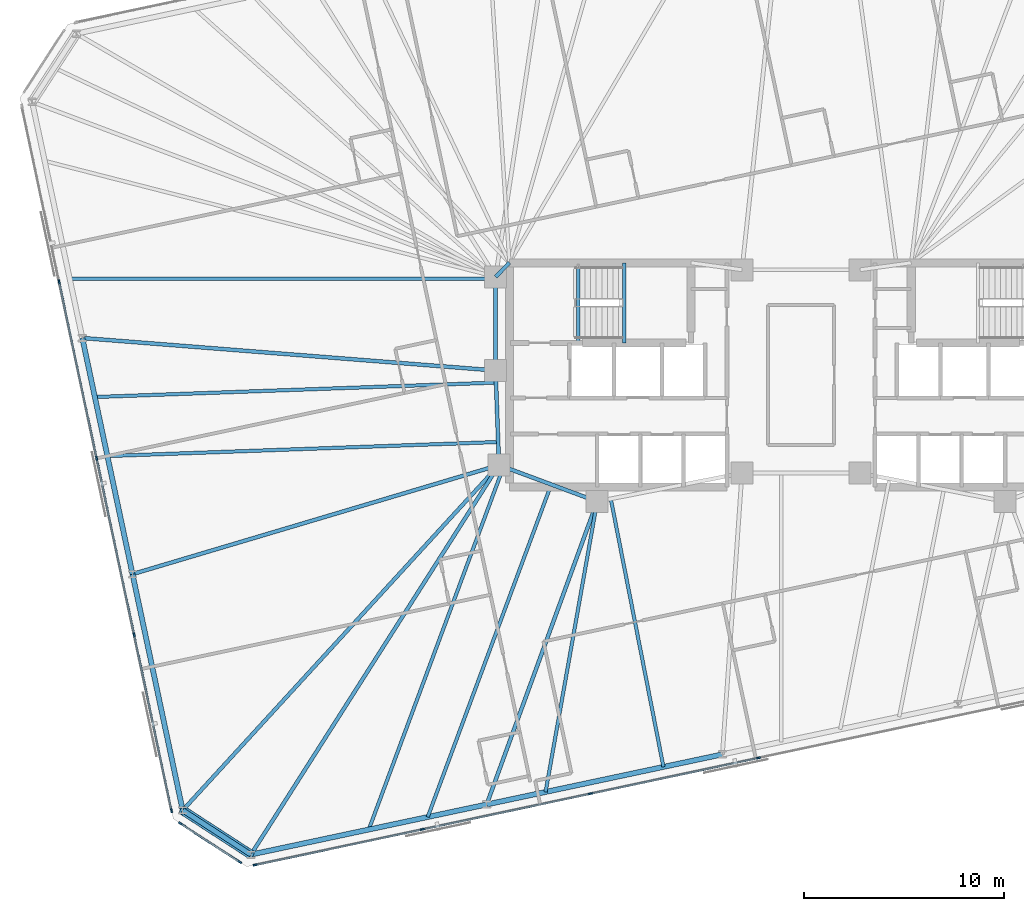
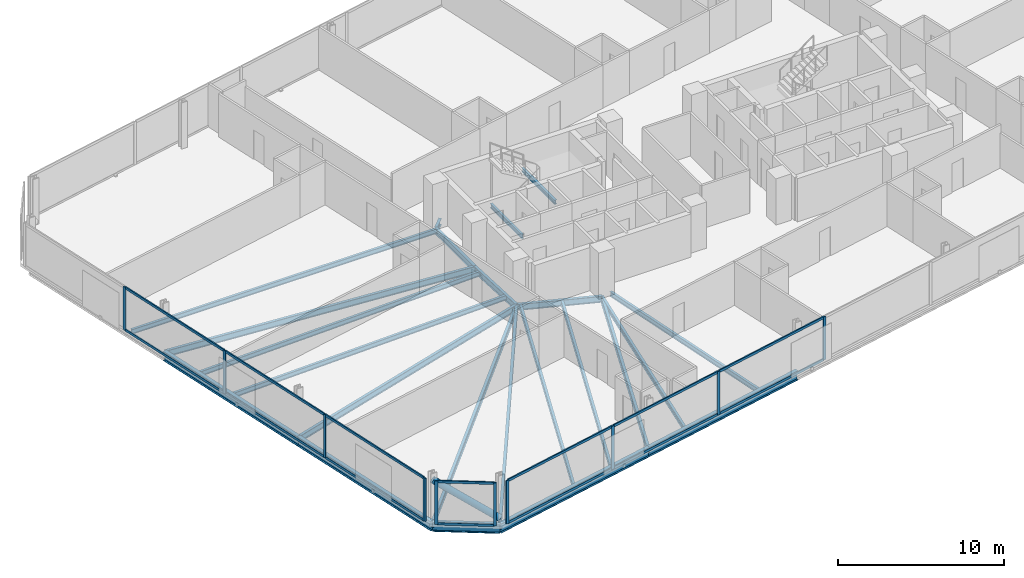
# One storey, part 6 of 19: 25 members, 23 beams, 3 elements without a shape of their own.
"""IFC4 building model written with IfcOpenShell, lengths in metres."""

from ifc_helpers import new_model, si_unit, direction, frame, origin, origin_2d, place, context, subcontext, project, spatial, rectangle, hollow_circle, i_section, extrude, material, material_profile, profile_set, type_object, element, aggregate, save


model = new_model("IFC4")

# Units and contexts
model_context = context("Model", 3, precision=1e-05, world=origin(), true_north=direction((0.0, 1.0)))
body_context = subcontext(model_context, "Body", "Model", "MODEL_VIEW")
ifc_project = project(units=[si_unit("LENGTHUNIT", "METRE"), si_unit("AREAUNIT", "SQUARE_METRE"), si_unit("VOLUMEUNIT", "CUBIC_METRE"), si_unit("PLANEANGLEUNIT", "RADIAN"), si_unit("MASSUNIT", "GRAM", prefix="KILO")], contexts=[model_context])

# Site, building, storey
site_placement = place(None, origin())
site = spatial("IfcSite", under=ifc_project, at=site_placement, CompositionType="ELEMENT")
building_placement = place(site_placement, origin())
building = spatial("IfcBuilding", under=site, at=building_placement, Name="Menara Jurai Vektor", CompositionType="ELEMENT")
storey_placement = place(building_placement, frame((0.0, 0.0, 154.800048828125)))
storey = spatial("IfcBuildingStorey", under=building, at=storey_placement, Name="L39", CompositionType="ELEMENT", Elevation=154.800048828125)

# Curtain wall, members
ifc_material_1 = material(Name="Anodised Pale Aluminium & Low-E Double Glazing", Category="aluminium")
curtain_wall_type = type_object("IfcCurtainWallType", Name="CW-BLK3", PredefinedType="NOTDEFINED", material=ifc_material_1)
curtain_wall_1_placement = place(storey_placement, origin())
curtain_wall_1 = element("IfcCurtainWall", 1, at=curtain_wall_1_placement, inside=storey, type_object=curtain_wall_type, Name="Unitised Curtain Wall L39 F01", PredefinedType="NOTDEFINED")
ifc_material_2 = material(Name="Anodised Pale Aluminium Mullion", Category="aluminium")
ifc_material_profile_1 = material_profile(ifc_material_2, rectangle(XDim=0.0849609375, YDim=0.205078125, at=origin_2d()), Name="ALU MUL 85x205")
ifc_profile_set_1 = profile_set([ifc_material_profile_1], Name="Anodised Pale Aluminium Mullion")
member_type_1 = type_object("IfcMemberType", Name="CW-BLK3-MUL", PredefinedType="MULLION", material=ifc_profile_set_1)
member_1_placement = place(storey_placement, frame((-27.25244140625, -24.462890625, 0.0), z_axis=(0.0, 0.0, 1.0), x_axis=(-0.207911344156, 0.978147674419, 0.0)))
member_1 = element("IfcMember", 2, at=member_1_placement, type_object=member_type_1, Name="CW-03 mullion 1", PredefinedType="MULLION", context=body_context, shape_type="SweptSolid", body=[
    extrude(rectangle(XDim=0.0849609375, YDim=0.205078125, at=origin_2d()), origin(), (0.0, 0.0, 1.0), 3.175048828125),
])
member_2_placement = place(storey_placement, frame((-18.904296875, -22.6884765625, 0.0), z_axis=(0.0, 0.0, 1.0), x_axis=(-0.207911344156, 0.978147674419, 0.0)))
member_2 = element("IfcMember", 3, at=member_2_placement, type_object=member_type_1, Name="CW-03 mullion 2", PredefinedType="MULLION", context=body_context, shape_type="SweptSolid", body=[
    extrude(rectangle(XDim=0.0849609375, YDim=0.205078125, at=origin_2d()), origin(), (0.0, 0.0, 1.0), 3.175048828125),
])
member_3_placement = place(storey_placement, frame((-10.514404296875, -20.905029296875, 0.0), z_axis=(0.0, 0.0, 1.0), x_axis=(-0.207911344156, 0.978147674419, 0.0)))
member_3 = element("IfcMember", 4, at=member_3_placement, type_object=member_type_1, Name="CW-03 mullion 3", PredefinedType="MULLION", context=body_context, shape_type="SweptSolid", body=[
    extrude(rectangle(XDim=0.0849609375, YDim=0.205078125, at=origin_2d()), origin(), (0.0, 0.0, 1.0), 3.175048828125),
])
member_4_placement = place(storey_placement, frame((-2.124755859375, -19.121826171875, 0.0), z_axis=(0.0, 0.0, 1.0), x_axis=(-0.207911344156, 0.978147674419, 0.0)))
member_4 = element("IfcMember", 5, at=member_4_placement, type_object=member_type_1, Name="CW-03 mullion 4", PredefinedType="MULLION", context=body_context, shape_type="SweptSolid", body=[
    extrude(rectangle(XDim=0.0849609375, YDim=0.205078125, at=origin_2d()), origin(), (0.0, 0.0, 1.0), 3.175048828125),
])

curtain_wall_2_placement = place(storey_placement, origin())
curtain_wall_2 = element("IfcCurtainWall", 6, at=curtain_wall_2_placement, inside=storey, type_object=curtain_wall_type, Name="Unitised Curtain Wall L39 F07", PredefinedType="NOTDEFINED")
member_5_placement = place(storey_placement, frame((-37.041259765625, 4.648193359375, 0.0), z_axis=(0.0, 0.0, 1.0), x_axis=(0.978147883949, 0.20791035839, 0.0)))
member_5 = element("IfcMember", 7, at=member_5_placement, type_object=member_type_1, Name="CW-03 mullion 2", PredefinedType="MULLION", context=body_context, shape_type="SweptSolid", body=[
    extrude(rectangle(XDim=0.0849609375, YDim=0.205078125, at=origin_2d()), origin(), (0.0, 0.0, 1.0), 3.175048828125),
])
member_6_placement = place(storey_placement, frame((-35.16796875, -4.1650390625, 0.0), z_axis=(0.0, 0.0, 1.0), x_axis=(0.978147883949, 0.20791035839, 0.0)))
member_6 = element("IfcMember", 8, at=member_6_placement, type_object=member_type_1, Name="CW-03 mullion 3", PredefinedType="MULLION", context=body_context, shape_type="SweptSolid", body=[
    extrude(rectangle(XDim=0.0849609375, YDim=0.205078125, at=origin_2d()), origin(), (0.0, 0.0, 1.0), 3.175048828125),
])
member_7_placement = place(storey_placement, frame((-33.294677734375, -12.978271484375, 0.0), z_axis=(0.0, 0.0, 1.0), x_axis=(0.978147883949, 0.20791035839, 0.0)))
member_7 = element("IfcMember", 9, at=member_7_placement, type_object=member_type_1, Name="CW-03 mullion 4", PredefinedType="MULLION", context=body_context, shape_type="SweptSolid", body=[
    extrude(rectangle(XDim=0.0849609375, YDim=0.205078125, at=origin_2d()), origin(), (0.0, 0.0, 1.0), 3.175048828125),
])
member_8_placement = place(storey_placement, frame((-31.43017578125, -21.749755859375, 0.0), z_axis=(0.0, 0.0, 1.0), x_axis=(0.978147883949, 0.20791035839, 0.0)))
member_8 = element("IfcMember", 10, at=member_8_placement, type_object=member_type_1, Name="CW-03 mullion 5", PredefinedType="MULLION", context=body_context, shape_type="SweptSolid", body=[
    extrude(rectangle(XDim=0.0849609375, YDim=0.205078125, at=origin_2d()), origin(), (0.0, 0.0, 1.0), 3.175048828125),
])

curtain_wall_3_placement = place(storey_placement, origin())
curtain_wall_3 = element("IfcCurtainWall", 11, at=curtain_wall_3_placement, inside=storey, type_object=curtain_wall_type, Name="Unitised Curtain Wall L39 F08", PredefinedType="NOTDEFINED")
member_9_placement = place(storey_placement, frame((-30.988037109375, -22.39306640625, 0.0), z_axis=(0.0, 0.0, 1.0), x_axis=(0.544617794346, 0.838684361415, 0.0)))
member_9 = element("IfcMember", 12, at=member_9_placement, type_object=member_type_1, Name="CW-03 mullion 1", PredefinedType="MULLION", context=body_context, shape_type="SweptSolid", body=[
    extrude(rectangle(XDim=0.0849609375, YDim=0.205078125, at=origin_2d()), origin(), (0.0, 0.0, 1.0), 3.175048828125),
])
member_10_placement = place(storey_placement, frame((-28.02001953125, -24.320556640625, 0.0), z_axis=(0.0, 0.0, 1.0), x_axis=(0.544617794346, 0.838684361415, 0.0)))
member_10 = element("IfcMember", 13, at=member_10_placement, type_object=member_type_1, Name="CW-03 mullion 2", PredefinedType="MULLION", context=body_context, shape_type="SweptSolid", body=[
    extrude(rectangle(XDim=0.0849609375, YDim=0.205078125, at=origin_2d()), origin(), (0.0, 0.0, 1.0), 3.175048828125),
])

# Member
ifc_material_3 = material(Name="Anodised Pale Aluminium Transom", Category="aluminium")
ifc_material_profile_2 = material_profile(ifc_material_3, rectangle(XDim=0.0849609375, YDim=0.175048828125, at=origin_2d()), Name="ALU TRN 85x175")
ifc_profile_set_2 = profile_set([ifc_material_profile_2], Name="Anodised Pale Aluminium Transom")
member_type_2 = type_object("IfcMemberType", Name="CW-BLK3-TRN", PredefinedType="USERDEFINED", material=ifc_profile_set_2)
member_11_placement = place(storey_placement, frame((-27.210693359375, -24.4541015625, 0.04248046875), z_axis=(0.978145704369, 0.207920612313, 0.0), x_axis=(-0.207920612313, 0.978145704369, 0.0)))
member_11 = element("IfcMember", 14, at=member_11_placement, type_object=member_type_2, Name="CW-03 transom 1.1", ObjectType="TRANSOM", PredefinedType="USERDEFINED", context=body_context, shape_type="SweptSolid", body=[
    extrude(rectangle(XDim=0.0849609375, YDim=0.175048828125, at=origin_2d()), origin(), (0.0, 0.0, 1.0), 8.449462890625),
])

member_12_placement = place(storey_placement, frame((-27.210693359375, -24.4541015625, 3.132568359375), z_axis=(0.978145704369, 0.207920612313, 0.0), x_axis=(-0.207920612313, 0.978145704369, 0.0)))
member_12 = element("IfcMember", 15, at=member_12_placement, type_object=member_type_2, Name="CW-03 transom 1.2", ObjectType="TRANSOM", PredefinedType="USERDEFINED", context=body_context, shape_type="SweptSolid", body=[
    extrude(rectangle(XDim=0.0849609375, YDim=0.175048828125, at=origin_2d()), origin(), (0.0, 0.0, 1.0), 8.449462890625),
])

member_13_placement = place(storey_placement, frame((-18.862548828125, -22.6796875, 0.04248046875), z_axis=(0.978146500933, 0.207916864907, 0.0), x_axis=(-0.207916864907, 0.978146500933, 0.0)))
member_13 = element("IfcMember", 16, at=member_13_placement, type_object=member_type_2, Name="CW-03 transom 2.1", ObjectType="TRANSOM", PredefinedType="USERDEFINED", context=body_context, shape_type="SweptSolid", body=[
    extrude(rectangle(XDim=0.0849609375, YDim=0.175048828125, at=origin_2d()), origin(), (0.0, 0.0, 1.0), 8.491943359375),
])

member_14_placement = place(storey_placement, frame((-18.862548828125, -22.6796875, 3.132568359375), z_axis=(0.978146500933, 0.207916864907, 0.0), x_axis=(-0.207916864907, 0.978146500933, 0.0)))
member_14 = element("IfcMember", 17, at=member_14_placement, type_object=member_type_2, Name="CW-03 transom 2.2", ObjectType="TRANSOM", PredefinedType="USERDEFINED", context=body_context, shape_type="SweptSolid", body=[
    extrude(rectangle(XDim=0.0849609375, YDim=0.175048828125, at=origin_2d()), origin(), (0.0, 0.0, 1.0), 8.491943359375),
])

member_15_placement = place(storey_placement, frame((-10.472900390625, -20.896240234375, 0.04248046875), z_axis=(0.978147743708, 0.207911018178, 0.0), x_axis=(-0.207911018178, 0.978147743708, 0.0)))
member_15 = element("IfcMember", 18, at=member_15_placement, type_object=member_type_2, Name="CW-03 transom 3.1", ObjectType="TRANSOM", PredefinedType="USERDEFINED", context=body_context, shape_type="SweptSolid", body=[
    extrude(rectangle(XDim=0.0849609375, YDim=0.175048828125, at=origin_2d()), origin(), (0.0, 0.0, 1.0), 8.4921875),
])

member_16_placement = place(storey_placement, frame((-10.472900390625, -20.896240234375, 3.132568359375), z_axis=(0.978147743708, 0.207911018178, 0.0), x_axis=(-0.207911018178, 0.978147743708, 0.0)))
member_16 = element("IfcMember", 19, at=member_16_placement, type_object=member_type_2, Name="CW-03 transom 3.2", ObjectType="TRANSOM", PredefinedType="USERDEFINED", context=body_context, shape_type="SweptSolid", body=[
    extrude(rectangle(XDim=0.0849609375, YDim=0.175048828125, at=origin_2d()), origin(), (0.0, 0.0, 1.0), 8.4921875),
])

aggregate(curtain_wall_1, [member_1, member_2, member_3, member_4, member_11, member_12, member_13, member_14, member_15, member_16])

member_17_placement = place(storey_placement, frame((-37.032470703125, 4.6064453125, 0.04248046875), z_axis=(0.207922224243, -0.978145361726, 0.0), x_axis=(0.978145361726, 0.207922224243, 0.0)))
member_17 = element("IfcMember", 20, at=member_17_placement, type_object=member_type_2, Name="CW-03 transom 2.1", ObjectType="TRANSOM", PredefinedType="USERDEFINED", context=body_context, shape_type="SweptSolid", body=[
    extrude(rectangle(XDim=0.0849609375, YDim=0.175048828125, at=origin_2d()), origin(), (0.0, 0.0, 1.0), 8.925048828125),
])

member_18_placement = place(storey_placement, frame((-37.032470703125, 4.6064453125, 3.132568359375), z_axis=(0.207922224243, -0.978145361726, 0.0), x_axis=(0.978145361726, 0.207922224243, 0.0)))
member_18 = element("IfcMember", 21, at=member_18_placement, type_object=member_type_2, Name="CW-03 transom 2.2", ObjectType="TRANSOM", PredefinedType="USERDEFINED", context=body_context, shape_type="SweptSolid", body=[
    extrude(rectangle(XDim=0.0849609375, YDim=0.175048828125, at=origin_2d()), origin(), (0.0, 0.0, 1.0), 8.925048828125),
])

member_19_placement = place(storey_placement, frame((-35.1591796875, -4.20654296875, 0.04248046875), z_axis=(0.207922224243, -0.978145361726, 0.0), x_axis=(0.978145361726, 0.207922224243, 0.0)))
member_19 = element("IfcMember", 22, at=member_19_placement, type_object=member_type_2, Name="CW-03 transom 3.1", ObjectType="TRANSOM", PredefinedType="USERDEFINED", context=body_context, shape_type="SweptSolid", body=[
    extrude(rectangle(XDim=0.0849609375, YDim=0.175048828125, at=origin_2d()), origin(), (0.0, 0.0, 1.0), 8.925048828125),
])

member_20_placement = place(storey_placement, frame((-35.1591796875, -4.20654296875, 3.132568359375), z_axis=(0.207922224243, -0.978145361726, 0.0), x_axis=(0.978145361726, 0.207922224243, 0.0)))
member_20 = element("IfcMember", 23, at=member_20_placement, type_object=member_type_2, Name="CW-03 transom 3.2", ObjectType="TRANSOM", PredefinedType="USERDEFINED", context=body_context, shape_type="SweptSolid", body=[
    extrude(rectangle(XDim=0.0849609375, YDim=0.175048828125, at=origin_2d()), origin(), (0.0, 0.0, 1.0), 8.925048828125),
])

member_21_placement = place(storey_placement, frame((-33.285888671875, -13.019775390625, 0.04248046875), z_axis=(0.207925814542, -0.978144598537, 0.0), x_axis=(0.978144598537, 0.207925814542, 0.0)))
member_21 = element("IfcMember", 24, at=member_21_placement, type_object=member_type_2, Name="CW-03 transom 4.1", ObjectType="TRANSOM", PredefinedType="USERDEFINED", context=body_context, shape_type="SweptSolid", body=[
    extrude(rectangle(XDim=0.0849609375, YDim=0.175048828125, at=origin_2d()), origin(), (0.0, 0.0, 1.0), 8.882568359375),
])

member_22_placement = place(storey_placement, frame((-33.285888671875, -13.019775390625, 3.132568359375), z_axis=(0.207925814542, -0.978144598537, 0.0), x_axis=(0.978144598537, 0.207925814542, 0.0)))
member_22 = element("IfcMember", 25, at=member_22_placement, type_object=member_type_2, Name="CW-03 transom 4.2", ObjectType="TRANSOM", PredefinedType="USERDEFINED", context=body_context, shape_type="SweptSolid", body=[
    extrude(rectangle(XDim=0.0849609375, YDim=0.175048828125, at=origin_2d()), origin(), (0.0, 0.0, 1.0), 8.882568359375),
])

aggregate(curtain_wall_2, [member_5, member_6, member_7, member_8, member_17, member_18, member_19, member_20, member_21, member_22])

member_23_placement = place(storey_placement, frame((-30.952392578125, -22.416259765625, 0.04248046875), z_axis=(0.83867770631, -0.54462804274, 0.0), x_axis=(0.54462804274, 0.83867770631, 0.0)))
member_23 = element("IfcMember", 26, at=member_23_placement, type_object=member_type_2, Name="CW-03 transom 1.1", ObjectType="TRANSOM", PredefinedType="USERDEFINED", context=body_context, shape_type="SweptSolid", body=[
    extrude(rectangle(XDim=0.0849609375, YDim=0.175048828125, at=origin_2d()), origin(), (0.0, 0.0, 1.0), 3.453857421875),
])

member_24_placement = place(storey_placement, frame((-30.952392578125, -22.416259765625, 3.132568359375), z_axis=(0.83867770631, -0.54462804274, 0.0), x_axis=(0.54462804274, 0.83867770631, 0.0)))
member_24 = element("IfcMember", 27, at=member_24_placement, type_object=member_type_2, Name="CW-03 transom 1.2", ObjectType="TRANSOM", PredefinedType="USERDEFINED", context=body_context, shape_type="SweptSolid", body=[
    extrude(rectangle(XDim=0.0849609375, YDim=0.175048828125, at=origin_2d()), origin(), (0.0, 0.0, 1.0), 3.453857421875),
])

aggregate(curtain_wall_3, [member_9, member_10, member_23, member_24])

# Beams
ifc_material_4 = material(Name="Steel S355", Category="steel")
ifc_material_profile_3 = material_profile(ifc_material_4, i_section(OverallWidth=0.19091796875, OverallDepth=0.4599609375, WebThickness=0.010009765625, FlangeThickness=0.01611328125, FilletRadius=0.010009765625, at=origin_2d()), Name="UKB 457x191x82")
ifc_profile_set_3 = profile_set([ifc_material_profile_3], Name="Steel S355")
beam_type_1 = type_object("IfcBeamType", Name="STR-BM-457", PredefinedType="BEAM", material=ifc_profile_set_3)
beam_1_placement = place(storey_placement, frame((-15.25, 4.89990234375, -0.455078125), z_axis=(0.701871936926, 0.712303154672, 0.0), x_axis=(-0.712303154672, 0.701871936926, 0.0)))
element("IfcBeam", 28, at=beam_1_placement, inside=storey, type_object=beam_type_1, Name="Core Ring Header Girder L39-CHW-N1", PredefinedType="BEAM", context=body_context, shape_type="SweptSolid", body=[
    extrude(i_section(OverallWidth=0.19091796875, OverallDepth=0.4599609375, WebThickness=0.010009765625, FlangeThickness=0.01611328125, FilletRadius=0.010009765625, at=origin_2d()), origin(), (0.0, 0.0, 1.0), 0.98291015625),
])
beam_2_placement = place(storey_placement, frame((-15.25, 0.219970703125, -0.455078125), z_axis=(0.0, 1.0, 0.0), x_axis=(-1.0, 0.0, 0.0)))
element("IfcBeam", 29, at=beam_2_placement, inside=storey, type_object=beam_type_1, Name="Core Ring Header Girder L39-CHW-W1", PredefinedType="BEAM", context=body_context, shape_type="SweptSolid", body=[
    extrude(i_section(OverallWidth=0.19091796875, OverallDepth=0.4599609375, WebThickness=0.010009765625, FlangeThickness=0.01611328125, FilletRadius=0.010009765625, at=origin_2d()), origin(), (0.0, 0.0, 1.0), 4.679931640625),
])
beam_3_placement = place(storey_placement, frame((-15.080078125, -4.5, -0.455078125), z_axis=(-0.035977314146, 0.999352606874, 0.0), x_axis=(-0.999352606874, -0.035977314146, 0.0)))
element("IfcBeam", 30, at=beam_3_placement, inside=storey, type_object=beam_type_1, Name="Core Ring Header Girder L39-CHW-W2", PredefinedType="BEAM", context=body_context, shape_type="SweptSolid", body=[
    extrude(i_section(OverallWidth=0.19091796875, OverallDepth=0.4599609375, WebThickness=0.010009765625, FlangeThickness=0.01611328125, FilletRadius=0.010009765625, at=origin_2d()), origin(), (0.0, 0.0, 1.0), 4.72314453125),
])
beam_4_placement = place(storey_placement, frame((-15.080078125, -4.5, -0.455078125), z_axis=(0.937424400887, -0.348188874925, 0.0), x_axis=(0.348188874925, 0.937424400887, 0.0)))
element("IfcBeam", 31, at=beam_4_placement, inside=storey, type_object=beam_type_1, Name="Core Ring Header Girder L39-CHW-S1", PredefinedType="BEAM", context=body_context, shape_type="SweptSolid", body=[
    extrude(i_section(OverallWidth=0.19091796875, OverallDepth=0.4599609375, WebThickness=0.010009765625, FlangeThickness=0.01611328125, FilletRadius=0.010009765625, at=origin_2d()), origin(), (0.0, 0.0, 1.0), 5.227294921875),
])
beam_5_placement = place(storey_placement, frame((-27.46484375, -23.94580078125, -0.455078125), z_axis=(0.537189280991, 0.843461721946, 0.0), x_axis=(-0.843461721946, 0.537189280991, 0.0)))
element("IfcBeam", 32, at=beam_5_placement, inside=storey, type_object=beam_type_1, Name="Radial Floor Girder L39-S1", PredefinedType="BEAM", context=body_context, shape_type="SweptSolid", body=[
    extrude(i_section(OverallWidth=0.19091796875, OverallDepth=0.4599609375, WebThickness=0.010009765625, FlangeThickness=0.01611328125, FilletRadius=0.010009765625, at=origin_2d()), origin(), (0.0, 0.0, 1.0), 23.0546875),
])
beam_6_placement = place(storey_placement, frame((-15.696533203125, -21.4443359375, -0.455078125), z_axis=(0.342668294367, 0.939456459893, 0.0), x_axis=(-0.939456459893, 0.342668294367, 0.0)))
element("IfcBeam", 33, at=beam_6_placement, inside=storey, type_object=beam_type_1, Name="Radial Floor Girder L39-S2", PredefinedType="BEAM", context=body_context, shape_type="SweptSolid", body=[
    extrude(i_section(OverallWidth=0.19091796875, OverallDepth=0.4599609375, WebThickness=0.010009765625, FlangeThickness=0.01611328125, FilletRadius=0.010009765625, at=origin_2d()), origin(), (0.0, 0.0, 1.0), 16.098876953125),
])
beam_7_placement = place(storey_placement, frame((-35.8828125, 1.843505859375, -0.455078125), z_axis=(0.996918476483, -0.078444574364, 0.0), x_axis=(0.078444574364, 0.996918476483, 0.0)))
element("IfcBeam", 34, at=beam_7_placement, inside=storey, type_object=beam_type_1, Name="Radial Floor Girder L39-W2", PredefinedType="BEAM", context=body_context, shape_type="SweptSolid", body=[
    extrude(i_section(OverallWidth=0.19091796875, OverallDepth=0.4599609375, WebThickness=0.010009765625, FlangeThickness=0.01611328125, FilletRadius=0.010009765625, at=origin_2d()), origin(), (0.0, 0.0, 1.0), 20.696533203125),
])
beam_8_placement = place(storey_placement, frame((-33.377197265625, -9.94482421875, -0.455078125), z_axis=(0.958462775407, 0.285217650505, 0.0), x_axis=(-0.285217650505, 0.958462775407, 0.0)))
element("IfcBeam", 35, at=beam_8_placement, inside=storey, type_object=beam_type_1, Name="Radial Floor Girder L39-W3", PredefinedType="BEAM", context=body_context, shape_type="SweptSolid", body=[
    extrude(i_section(OverallWidth=0.19091796875, OverallDepth=0.4599609375, WebThickness=0.010009765625, FlangeThickness=0.01611328125, FilletRadius=0.010009765625, at=origin_2d()), origin(), (0.0, 0.0, 1.0), 19.090087890625),
])
beam_9_placement = place(storey_placement, frame((-30.871337890625, -21.7333984375, -0.455078125), z_axis=(0.675584615662, 0.737282460852, 0.0), x_axis=(-0.737282460852, 0.675584615662, 0.0)))
element("IfcBeam", 36, at=beam_9_placement, inside=storey, type_object=beam_type_1, Name="Radial Floor Girder L39-W4", PredefinedType="BEAM", context=body_context, shape_type="SweptSolid", body=[
    extrude(i_section(OverallWidth=0.19091796875, OverallDepth=0.4599609375, WebThickness=0.010009765625, FlangeThickness=0.01611328125, FilletRadius=0.010009765625, at=origin_2d()), origin(), (0.0, 0.0, 1.0), 23.374267578125),
])

# Member
ifc_material_5 = material(Name="Steel S460", Category="steel")
ifc_material_profile_4 = material_profile(ifc_material_5, hollow_circle(Radius=0.228515625, WallThickness=0.01611328125, at=origin_2d()), Name="CHS 457x16")
ifc_profile_set_4 = profile_set([ifc_material_profile_4], Name="Steel S460")
member_type_3 = type_object("IfcMemberType", Name="STR-BR-457", PredefinedType="BRACE", material=ifc_profile_set_4)
member_25_placement = place(storey_placement, frame((-27.46484375, -23.94580078125, 0.14990234375), z_axis=(-0.700402825662, 0.454887866849, 0.5500117366), x_axis=(-0.544673525608, -0.838648168484, 0.0)))
element("IfcMember", 37, at=member_25_placement, inside=storey, type_object=member_type_3, Name="Exoskeleton Corner Brace L39-4", PredefinedType="BRACE", context=body_context, shape_type="SweptSolid", body=[
    extrude(hollow_circle(Radius=0.228515625, WallThickness=0.01611328125, at=origin_2d()), origin(), (0.0, 0.0, 1.0), 4.863525390625),
])

# Beams
ifc_material_profile_5 = material_profile(ifc_material_4, i_section(OverallWidth=0.172119140625, OverallDepth=0.35498046875, WebThickness=0.007080078125, FlangeThickness=0.011962890625, FilletRadius=0.010009765625, at=origin_2d()), Name="UKB 356x171x51")
ifc_profile_set_5 = profile_set([ifc_material_profile_5], Name="Steel S355")
beam_type_2 = type_object("IfcBeamType", Name="STR-JS-356", PredefinedType="JOIST", material=ifc_profile_set_5)
beam_10_placement = place(storey_placement, frame((-21.580810546875, -22.695068359375, -0.402587890625), z_axis=(0.348190019635, 0.937423975705, 0.0), x_axis=(-0.937423975705, 0.348190019635, 0.0)))
element("IfcBeam", 38, at=beam_10_placement, inside=storey, type_object=beam_type_2, Name="Radial Secondary Floor Joist L39-JS01", PredefinedType="JOIST", context=body_context, shape_type="SweptSolid", body=[
    extrude(i_section(OverallWidth=0.172119140625, OverallDepth=0.35498046875, WebThickness=0.007080078125, FlangeThickness=0.011962890625, FilletRadius=0.010009765625, at=origin_2d()), origin(), (0.0, 0.0, 1.0), 19.320068359375),
])
beam_11_placement = place(storey_placement, frame((-18.638671875, -22.069580078125, -0.402587890625), z_axis=(0.348193798412, 0.937422572135, 0.0), x_axis=(-0.937422572135, 0.348193798412, 0.0)))
element("IfcBeam", 39, at=beam_11_placement, inside=storey, type_object=beam_type_2, Name="Radial Secondary Floor Joist L39-JS02", PredefinedType="JOIST", context=body_context, shape_type="SweptSolid", body=[
    extrude(i_section(OverallWidth=0.172119140625, OverallDepth=0.35498046875, WebThickness=0.007080078125, FlangeThickness=0.011962890625, FilletRadius=0.010009765625, at=origin_2d()), origin(), (0.0, 0.0, 1.0), 17.709228515625),
])
beam_12_placement = place(storey_placement, frame((-12.75439453125, -20.819091796875, -0.402587890625), z_axis=(0.174826548521, 0.984599247375, 0.0), x_axis=(-0.984599247375, 0.174826548521, 0.0)))
element("IfcBeam", 40, at=beam_12_placement, inside=storey, type_object=beam_type_2, Name="Radial Secondary Floor Joist L39-JS03", PredefinedType="JOIST", context=body_context, shape_type="SweptSolid", body=[
    extrude(i_section(OverallWidth=0.172119140625, OverallDepth=0.35498046875, WebThickness=0.007080078125, FlangeThickness=0.011962890625, FilletRadius=0.010009765625, at=origin_2d()), origin(), (0.0, 0.0, 1.0), 14.725830078125),
])
beam_13_placement = place(storey_placement, frame((-6.870361328125, -19.568359375, -0.402587890625), z_axis=(-0.19273083746, 0.981251662058, 0.0), x_axis=(-0.981251662058, -0.19273083746, 0.0)))
element("IfcBeam", 41, at=beam_13_placement, inside=storey, type_object=beam_type_2, Name="Radial Secondary Floor Joist L39-JS04", PredefinedType="JOIST", context=body_context, shape_type="SweptSolid", body=[
    extrude(i_section(OverallWidth=0.172119140625, OverallDepth=0.35498046875, WebThickness=0.007080078125, FlangeThickness=0.011962890625, FilletRadius=0.010009765625, at=origin_2d()), origin(), (0.0, 0.0, 1.0), 13.6376953125),
])
beam_14_placement = place(storey_placement, frame((-36.50927734375, 4.790771484375, -0.402587890625), z_axis=(1.0, 0.0, 0.0), x_axis=(0.0, 1.0, 0.0)))
element("IfcBeam", 42, at=beam_14_placement, inside=storey, type_object=beam_type_2, Name="Radial Secondary Floor Joist L39-JS30", PredefinedType="JOIST", context=body_context, shape_type="SweptSolid", body=[
    extrude(i_section(OverallWidth=0.172119140625, OverallDepth=0.35498046875, WebThickness=0.007080078125, FlangeThickness=0.011962890625, FilletRadius=0.010009765625, at=origin_2d()), origin(), (0.0, 0.0, 1.0), 21.25927734375),
])
beam_15_placement = place(storey_placement, frame((-35.25634765625, -1.103515625, -0.402587890625), z_axis=(0.999351866858, 0.035997863919, 0.0), x_axis=(-0.035997863919, 0.999351866858, 0.0)))
element("IfcBeam", 43, at=beam_15_placement, inside=storey, type_object=beam_type_2, Name="Radial Secondary Floor Joist L39-JS31", PredefinedType="JOIST", context=body_context, shape_type="SweptSolid", body=[
    extrude(i_section(OverallWidth=0.172119140625, OverallDepth=0.35498046875, WebThickness=0.007080078125, FlangeThickness=0.011962890625, FilletRadius=0.010009765625, at=origin_2d()), origin(), (0.0, 0.0, 1.0), 20.041015625),
])
beam_16_placement = place(storey_placement, frame((-34.6298828125, -4.05078125, -0.402587890625), z_axis=(0.999352006705, 0.035993981369, 0.0), x_axis=(-0.035993981369, 0.999352006705, 0.0)))
element("IfcBeam", 44, at=beam_16_placement, inside=storey, type_object=beam_type_2, Name="Radial Secondary Floor Joist L39-JS32", PredefinedType="JOIST", context=body_context, shape_type="SweptSolid", body=[
    extrude(i_section(OverallWidth=0.172119140625, OverallDepth=0.35498046875, WebThickness=0.007080078125, FlangeThickness=0.011962890625, FilletRadius=0.010009765625, at=origin_2d()), origin(), (0.0, 0.0, 1.0), 19.52099609375),
])
ifc_material_profile_6 = material_profile(ifc_material_4, i_section(OverallWidth=0.1650390625, OverallDepth=0.302978515625, WebThickness=0.006103515625, FlangeThickness=0.010009765625, FilletRadius=0.009033203125, at=origin_2d()), Name="UKB 305x165x40")
ifc_profile_set_6 = profile_set([ifc_material_profile_6], Name="Steel S355")
beam_type_3 = type_object("IfcBeamType", Name="STR-LN-305", PredefinedType="LINTEL", material=ifc_profile_set_6)
beam_17_placement = place(storey_placement, frame((-11.1201171875, 1.60009765625, -0.37646484375), z_axis=(0.0, 1.0, 0.0), x_axis=(-1.0, 0.0, 0.0)))
element("IfcBeam", 45, at=beam_17_placement, inside=storey, type_object=beam_type_3, Name="Stair Well Floor Trimmer ST1 L39", PredefinedType="LINTEL", context=body_context, shape_type="SweptSolid", body=[
    extrude(i_section(OverallWidth=0.1650390625, OverallDepth=0.302978515625, WebThickness=0.006103515625, FlangeThickness=0.010009765625, FilletRadius=0.009033203125, at=origin_2d()), origin(), (0.0, 0.0, 1.0), 3.81982421875),
])
beam_18_placement = place(storey_placement, frame((-8.830078125, 1.60009765625, 1.348388671875), z_axis=(0.0, 1.0, 0.0), x_axis=(-1.0, 0.0, 0.0)))
element("IfcBeam", 46, at=beam_18_placement, inside=storey, type_object=beam_type_3, Name="Stair Half-Landing Nosing Trimmer ST1-1 L39", PredefinedType="LINTEL", context=body_context, shape_type="SweptSolid", body=[
    extrude(i_section(OverallWidth=0.1650390625, OverallDepth=0.302978515625, WebThickness=0.006103515625, FlangeThickness=0.010009765625, FilletRadius=0.009033203125, at=origin_2d()), origin(), (0.0, 0.0, 1.0), 4.0),
])
ifc_material_profile_7 = material_profile(ifc_material_5, i_section(OverallWidth=0.256103515625, OverallDepth=0.693115234375, WebThickness=0.013916015625, FlangeThickness=0.02392578125, FilletRadius=0.014892578125, at=origin_2d()), Name="UKB 686x254x170")
ifc_profile_set_7 = profile_set([ifc_material_profile_7], Name="Steel S460")
beam_type_4 = type_object("IfcBeamType", Name="STR-SP-686", PredefinedType="SPANDREL", material=ifc_profile_set_7)
beam_19_placement = place(storey_placement, frame((-27.46484375, -23.94580078125, -0.571533203125), z_axis=(0.978147039247, 0.207914332389, 0.0), x_axis=(-0.207914332389, 0.978147039247, 0.0)))
element("IfcBeam", 47, at=beam_19_placement, inside=storey, type_object=beam_type_4, Name="Exoskeleton Spandrel Beam L39-01", PredefinedType="SPANDREL", context=body_context, shape_type="SweptSolid", body=[
    extrude(i_section(OverallWidth=0.256103515625, OverallDepth=0.693115234375, WebThickness=0.013916015625, FlangeThickness=0.02392578125, FilletRadius=0.014892578125, at=origin_2d()), origin(), (0.0, 0.0, 1.0), 12.03125),
])
beam_20_placement = place(storey_placement, frame((-15.696533203125, -21.4443359375, -0.571533203125), z_axis=(0.97814616202, 0.207918459318, 0.0), x_axis=(-0.207918459318, 0.97814616202, 0.0)))
element("IfcBeam", 48, at=beam_20_placement, inside=storey, type_object=beam_type_4, Name="Exoskeleton Spandrel Beam L39-02", PredefinedType="SPANDREL", context=body_context, shape_type="SweptSolid", body=[
    extrude(i_section(OverallWidth=0.256103515625, OverallDepth=0.693115234375, WebThickness=0.013916015625, FlangeThickness=0.02392578125, FilletRadius=0.014892578125, at=origin_2d()), origin(), (0.0, 0.0, 1.0), 12.031005859375),
])
beam_21_placement = place(storey_placement, frame((-35.8828125, 1.843505859375, -0.571533203125), z_axis=(0.207906000604, -0.978148810209, 0.0), x_axis=(0.978148810209, 0.207906000604, 0.0)))
element("IfcBeam", 49, at=beam_21_placement, inside=storey, type_object=beam_type_4, Name="Exoskeleton Spandrel Beam L39-18", PredefinedType="SPANDREL", context=body_context, shape_type="SweptSolid", body=[
    extrude(i_section(OverallWidth=0.256103515625, OverallDepth=0.693115234375, WebThickness=0.013916015625, FlangeThickness=0.02392578125, FilletRadius=0.014892578125, at=origin_2d()), origin(), (0.0, 0.0, 1.0), 12.0517578125),
])
beam_22_placement = place(storey_placement, frame((-33.377197265625, -9.94482421875, -0.571533203125), z_axis=(0.207921262698, -0.978145566119, 0.0), x_axis=(0.978145566119, 0.207921262698, 0.0)))
element("IfcBeam", 50, at=beam_22_placement, inside=storey, type_object=beam_type_4, Name="Exoskeleton Spandrel Beam L39-19", PredefinedType="SPANDREL", context=body_context, shape_type="SweptSolid", body=[
    extrude(i_section(OverallWidth=0.256103515625, OverallDepth=0.693115234375, WebThickness=0.013916015625, FlangeThickness=0.02392578125, FilletRadius=0.014892578125, at=origin_2d()), origin(), (0.0, 0.0, 1.0), 12.052001953125),
])
beam_23_placement = place(storey_placement, frame((-30.871337890625, -21.7333984375, -0.571533203125), z_axis=(0.838648168484, -0.544673525608, 0.0), x_axis=(0.544673525608, 0.838648168484, 0.0)))
element("IfcBeam", 51, at=beam_23_placement, inside=storey, type_object=beam_type_4, Name="Exoskeleton Spandrel Beam L39-20", PredefinedType="SPANDREL", context=body_context, shape_type="SweptSolid", body=[
    extrude(i_section(OverallWidth=0.256103515625, OverallDepth=0.693115234375, WebThickness=0.013916015625, FlangeThickness=0.02392578125, FilletRadius=0.014892578125, at=origin_2d()), origin(), (0.0, 0.0, 1.0), 4.061767578125),
])

save(model, "model.ifc")
